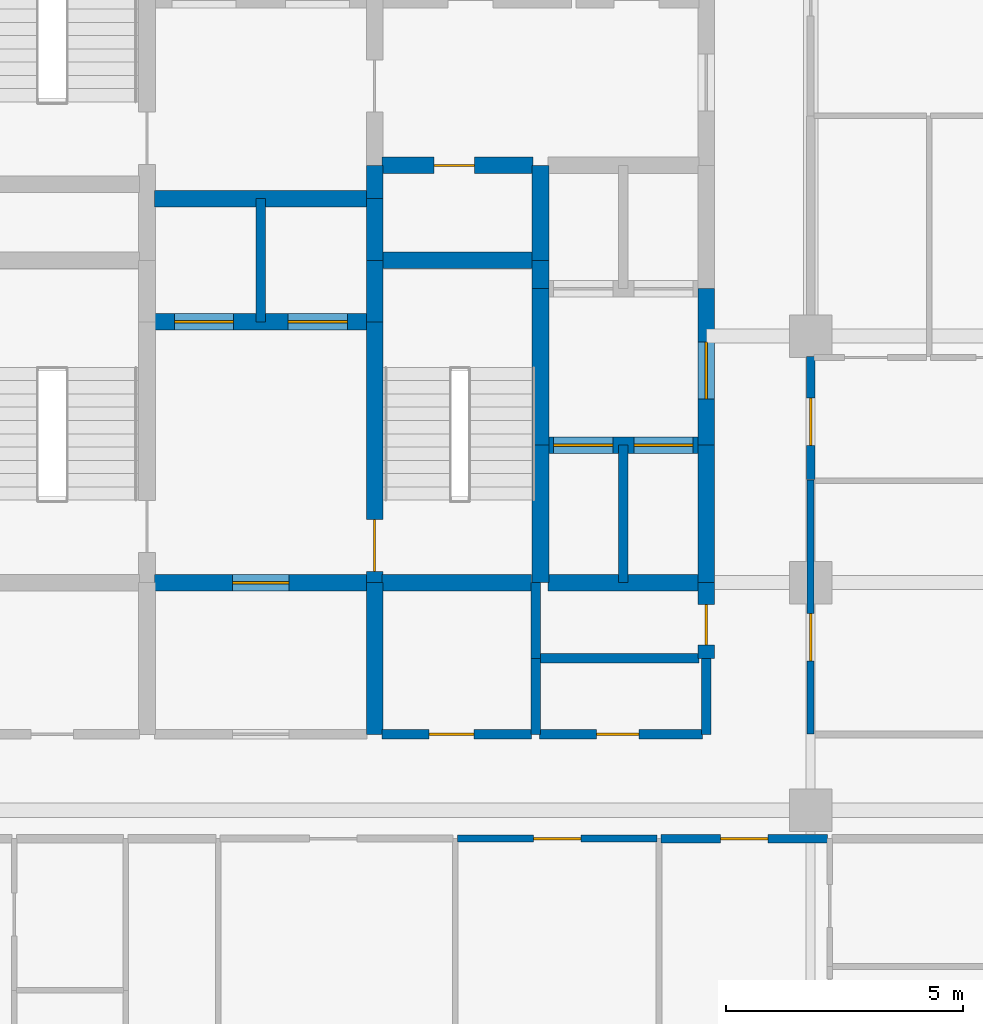
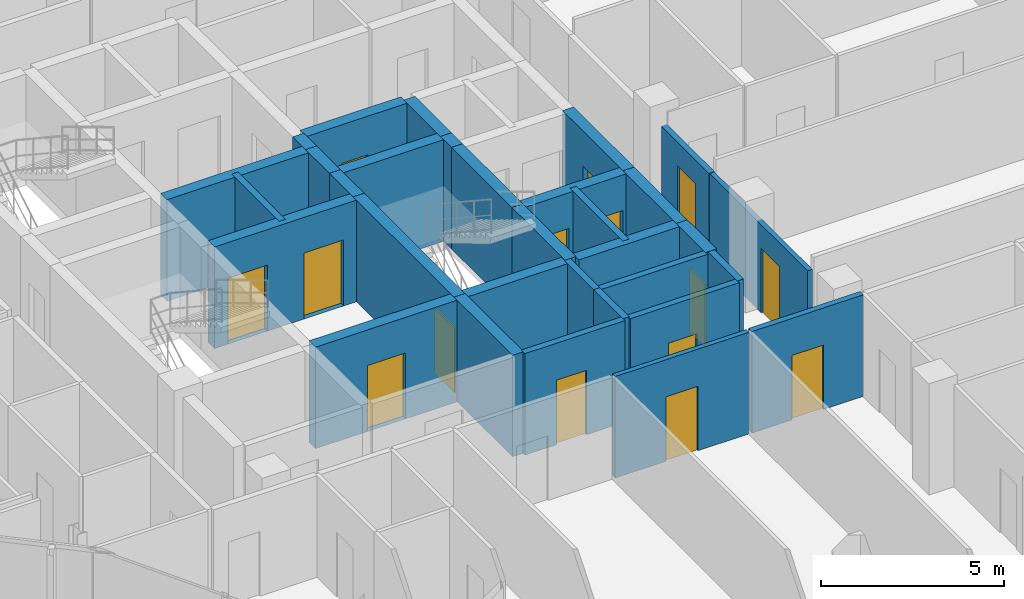
# One storey, part 26 of 31: 32 walls, 15 doors, 15 openings.
"""IFC4 building model written with IfcOpenShell, lengths in metres."""

from ifc_helpers import new_model, si_unit, direction, frame, frame_2d, origin, place, context, subcontext, project, spatial, rectangle, extrude, material, layer, layer_set, type_object, element, fill, save


model = new_model("IFC4")

# Units and contexts
model_context = context("Model", 3, precision=1e-05, world=origin(), true_north=direction((0.0, 1.0)))
body_context = subcontext(model_context, "Body", "Model", "MODEL_VIEW")
ifc_project = project(units=[si_unit("LENGTHUNIT", "METRE"), si_unit("AREAUNIT", "SQUARE_METRE"), si_unit("VOLUMEUNIT", "CUBIC_METRE"), si_unit("PLANEANGLEUNIT", "RADIAN"), si_unit("MASSUNIT", "GRAM", prefix="KILO")], contexts=[model_context])

# Site, building, storey
site_placement = place(None, origin())
site = spatial("IfcSite", under=ifc_project, at=site_placement, CompositionType="ELEMENT")
building_placement = place(site_placement, origin())
building = spatial("IfcBuilding", under=site, at=building_placement, Name="Keshet Zoharim Tower", CompositionType="ELEMENT")
storey_placement = place(building_placement, frame((0.0, 0.0, 148.300048828125)))
storey = spatial("IfcBuildingStorey", under=building, at=storey_placement, Name="L36", CompositionType="ELEMENT", Elevation=148.300048828125)

# Wall, opening, door
ifc_material_1 = material(Name="Gypsum Plasterboard", Category="gypsum")
ifc_layer_1 = layer(ifc_material_1, 0.14990234375)
ifc_layer_set_1 = layer_set([ifc_layer_1], Name="Gypsum Plasterboard")
wall_type_1 = type_object("IfcWallType", Name="WL-CLIN-150", PredefinedType="STANDARD", material=ifc_layer_set_1)
wall_1_placement = place(storey_placement, frame((33.0, 19.510009765625, 0.0), z_axis=(0.0, 0.0, 1.0), x_axis=(0.0, 1.0, 0.0)))
wall_1 = element("IfcWall", 1, at=wall_1_placement, inside=storey, type_object=wall_type_1, Name="L36 Interior Wall 070", PredefinedType="STANDARD", context=body_context, shape_type="SweptSolid", body=[
    extrude(rectangle(XDim=5.35009765625, YDim=0.14990234375, at=frame_2d((2.675048828125, 0.0))), origin(), (0.0, 0.0, 1.0), 2.93505859375),
])
opening_1_placement = place(wall_1_placement, frame((1.533935546875, 0.0, 0.0)))
opening_1 = element("IfcOpeningElement", 2, at=opening_1_placement, cuts=wall_1, Name="Opening D-F310", PredefinedType="OPENING", context=body_context, shape_type="SweptSolid", body=[
    extrude(rectangle(XDim=1.0, YDim=2.14990234375, at=frame_2d((0.5, 1.074951171875))), frame((0.0, 0.0849609375, 0.0), z_axis=(0.0, -1.0, 0.0), x_axis=(1.0, 0.0, 0.0)), (0.0, 0.0, 1.0), 0.169921875),
])
ifc_material_2 = material(Name="Hardwood Timber", Category="wood")
door_type_1 = type_object("IfcDoorType", Name="DR-FD30-100", OperationType="NOTDEFINED", PredefinedType="DOOR", material=ifc_material_2)
door_1_placement = place(opening_1_placement, origin())
door_1 = element("IfcDoor", 3, at=door_1_placement, inside=storey, type_object=door_type_1, Name="L36 South East Residents Services Suite Door 2", OperationType="SINGLE_SWING_RIGHT", OverallHeight=2.14990234375, OverallWidth=1.0, PredefinedType="DOOR", context=body_context, shape_type="SweptSolid", body=[
    extrude(rectangle(XDim=1.0, YDim=2.14990234375, at=frame_2d((0.5, 1.074951171875))), frame((0.0, 0.02490234375, 0.0), z_axis=(0.0, -1.0, 0.0), x_axis=(1.0, 0.0, 0.0)), (0.0, 0.0, 1.0), 0.050048828125),
])
fill(opening_1, door_1)

wall_2_placement = place(storey_placement, frame((25.544921875, 17.300048828125, 0.0), z_axis=(0.0, 0.0, 1.0), x_axis=(1.0, 0.0, 0.0)))
wall_2 = element("IfcWall", 4, at=wall_2_placement, inside=storey, type_object=wall_type_1, Name="L36 Interior Wall 124", PredefinedType="STANDARD", context=body_context, shape_type="SweptSolid", body=[
    extrude(rectangle(XDim=4.2099609375, YDim=0.14990234375, at=frame_2d((2.10498046875, 0.0))), origin(), (0.0, 0.0, 1.0), 3.385009765625),
])
opening_2_placement = place(wall_2_placement, frame((1.60498046875, 0.0, 0.0)))
opening_2 = element("IfcOpeningElement", 5, at=opening_2_placement, cuts=wall_2, Name="Opening D-F310", PredefinedType="OPENING", context=body_context, shape_type="SweptSolid", body=[
    extrude(rectangle(XDim=1.0, YDim=2.14990234375, at=frame_2d((0.5, 1.074951171875))), frame((0.0, 0.0849609375, 0.0), z_axis=(0.0, -1.0, 0.0), x_axis=(1.0, 0.0, 0.0)), (0.0, 0.0, 1.0), 0.169921875),
])
door_2_placement = place(opening_2_placement, origin())
door_2 = element("IfcDoor", 6, at=door_2_placement, inside=storey, type_object=door_type_1, Name="L36 Residents Reading Office Door", OperationType="SINGLE_SWING_LEFT", OverallHeight=2.14990234375, OverallWidth=1.0, PredefinedType="DOOR", context=body_context, shape_type="SweptSolid", body=[
    extrude(rectangle(XDim=1.0, YDim=2.14990234375, at=frame_2d((0.5, 1.074951171875))), frame((0.0, 0.02490234375, 0.0), z_axis=(0.0, -1.0, 0.0), x_axis=(1.0, 0.0, 0.0)), (0.0, 0.0, 1.0), 0.050048828125),
])
fill(opening_2, door_2)

# Wall
ifc_material_3 = material(Name="Concrete C60/75", Category="concrete")
ifc_layer_2 = layer(ifc_material_3, 0.35009765625)
ifc_layer_set_2 = layer_set([ifc_layer_2], Name="Concrete C60/75")
wall_type_2 = type_object("IfcWallType", Name="WL-CORE-350", PredefinedType="SHEAR", material=ifc_layer_set_2)
wall_3_placement = place(storey_placement, frame((23.800048828125, 19.5, 0.0), z_axis=(0.0, 0.0, 1.0), x_axis=(0.0, 1.0, 0.0)))
element("IfcWall", 7, at=wall_3_placement, inside=storey, type_object=wall_type_2, Name="L36 Core Shear Wall 036", PredefinedType="SHEAR", context=body_context, shape_type="SweptSolid", body=[
    extrude(rectangle(XDim=3.199951171875, YDim=0.35009765625, at=frame_2d((1.60009765625, 0.0))), origin(), (0.0, 0.0, 1.0), 3.385009765625),
])

# Wall, opening, door
wall_4_placement = place(storey_placement, frame((23.800048828125, 22.699951171875, 0.0), z_axis=(0.0, 0.0, 1.0), x_axis=(0.0, 1.0, 0.0)))
wall_4 = element("IfcWall", 8, at=wall_4_placement, inside=storey, type_object=wall_type_2, Name="L36 Core Shear Wall 037", PredefinedType="SHEAR", context=body_context, shape_type="SweptSolid", body=[
    extrude(rectangle(XDim=5.5, YDim=0.35009765625, at=frame_2d((2.75, 0.0))), origin(), (0.0, 0.0, 1.0), 3.385009765625),
])
opening_3_placement = place(wall_4_placement, frame((0.235107421875, 0.0, 0.0)))
opening_3 = element("IfcOpeningElement", 9, at=opening_3_placement, cuts=wall_4, Name="Opening D-F611", PredefinedType="OPENING", context=body_context, shape_type="SweptSolid", body=[
    extrude(rectangle(XDim=1.10009765625, YDim=2.14990234375, at=frame_2d((0.550048828125, 1.074951171875))), frame((0.0, 0.18505859375, 0.0), z_axis=(0.0, -1.0, 0.0), x_axis=(1.0, 0.0, 0.0)), (0.0, 0.0, 1.0), 0.3701171875),
])
door_type_2 = type_object("IfcDoorType", Name="DR-FD60-110", OperationType="NOTDEFINED", PredefinedType="DOOR", material=ifc_material_2)
door_3_placement = place(opening_3_placement, frame((1.10009765625, 0.0, 0.0), z_axis=(0.0, 0.0, 1.0), x_axis=(-1.0, 0.0, 0.0)))
door_3 = element("IfcDoor", 10, at=door_3_placement, inside=storey, type_object=door_type_2, Name="L36 Exit Stair ST-03 Fire Door", OperationType="SINGLE_SWING_LEFT", OverallHeight=2.14990234375, OverallWidth=1.10009765625, PredefinedType="DOOR", context=body_context, shape_type="SweptSolid", body=[
    extrude(rectangle(XDim=1.10009765625, YDim=2.14990234375, at=frame_2d((0.550048828125, 1.074951171875))), frame((0.0, 0.02490234375, 0.0), z_axis=(0.0, -1.0, 0.0), x_axis=(1.0, 0.0, 0.0)), (0.0, 0.0, 1.0), 0.050048828125),
])
fill(opening_3, door_3)

# Walls
for number, where, z_axis, x_axis, name in (
    (11, (23.800048828125, 28.199951171875, 0.0), (0.0, 0.0, 1.0), (0.0, 1.0, 0.0), "L36 Core Shear Wall 038"),
    (12, (23.800048828125, 29.5, 0.0), (0.0, 0.0, 1.0), (0.0, 1.0, 0.0), "L36 Core Shear Wall 039"),
):
    element("IfcWall", number, at=place(storey_placement, frame(where, z_axis=z_axis, x_axis=x_axis)), inside=storey, type_object=wall_type_2, Name=name, PredefinedType="SHEAR", context=body_context, shape_type="SweptSolid", body=[
        extrude(rectangle(XDim=1.300048828125, YDim=0.35009765625, at=frame_2d((0.64990234375, 0.0))), origin(), (0.0, 0.0, 1.0), 3.385009765625),
    ])
wall_5_placement = place(storey_placement, frame((23.800048828125, 30.800048828125, 0.0), z_axis=(0.0, 0.0, 1.0), x_axis=(0.0, 1.0, 0.0)))
element("IfcWall", 13, at=wall_5_placement, inside=storey, type_object=wall_type_2, Name="L36 Core Shear Wall 040", PredefinedType="SHEAR", context=body_context, shape_type="SweptSolid", body=[
    extrude(rectangle(XDim=0.699951171875, YDim=0.35009765625, at=frame_2d((0.35009765625, 0.0))), origin(), (0.0, 0.0, 1.0), 3.385009765625),
])
wall_6_placement = place(storey_placement, frame((27.300048828125, 22.699951171875, 0.0), z_axis=(0.0, 0.0, 1.0), x_axis=(0.0, 1.0, 0.0)))
element("IfcWall", 14, at=wall_6_placement, inside=storey, type_object=wall_type_2, Name="L36 Core Shear Wall 047", PredefinedType="SHEAR", context=body_context, shape_type="SweptSolid", body=[
    extrude(rectangle(XDim=2.900146484375, YDim=0.35009765625, at=frame_2d((1.4501953125, 0.0))), origin(), (0.0, 0.0, 1.0), 3.385009765625),
])
wall_7_placement = place(storey_placement, frame((27.300048828125, 25.60009765625, 0.0), z_axis=(0.0, 0.0, 1.0), x_axis=(0.0, 1.0, 0.0)))
element("IfcWall", 15, at=wall_7_placement, inside=storey, type_object=wall_type_2, Name="L36 Core Shear Wall 048", PredefinedType="SHEAR", context=body_context, shape_type="SweptSolid", body=[
    extrude(rectangle(XDim=3.2998046875, YDim=0.35009765625, at=frame_2d((1.64990234375, 0.0))), origin(), (0.0, 0.0, 1.0), 3.385009765625),
])
wall_8_placement = place(storey_placement, frame((27.300048828125, 28.89990234375, 0.0), z_axis=(0.0, 0.0, 1.0), x_axis=(0.0, 1.0, 0.0)))
element("IfcWall", 16, at=wall_8_placement, inside=storey, type_object=wall_type_2, Name="L36 Core Shear Wall 049", PredefinedType="SHEAR", context=body_context, shape_type="SweptSolid", body=[
    extrude(rectangle(XDim=0.60009765625, YDim=0.35009765625, at=frame_2d((0.300048828125, 0.0))), origin(), (0.0, 0.0, 1.0), 3.385009765625),
])
wall_9_placement = place(storey_placement, frame((27.300048828125, 29.5, 0.0), z_axis=(0.0, 0.0, 1.0), x_axis=(0.0, 1.0, 0.0)))
element("IfcWall", 17, at=wall_9_placement, inside=storey, type_object=wall_type_2, Name="L36 Core Shear Wall 050", PredefinedType="SHEAR", context=body_context, shape_type="SweptSolid", body=[
    extrude(rectangle(XDim=2.0, YDim=0.35009765625, at=frame_2d((1.0, 0.0))), origin(), (0.0, 0.0, 1.0), 3.385009765625),
])

# Wall, opening, door
wall_10_placement = place(storey_placement, frame((30.800048828125, 21.10009765625, 0.0), z_axis=(0.0, 0.0, 1.0), x_axis=(0.0, 1.0, 0.0)))
wall_10 = element("IfcWall", 18, at=wall_10_placement, inside=storey, type_object=wall_type_2, Name="L36 Core Shear Wall 060", PredefinedType="SHEAR", context=body_context, shape_type="SweptSolid", body=[
    extrude(rectangle(XDim=1.599853515625, YDim=0.35009765625, at=frame_2d((0.7998046875, 0.0))), origin(), (0.0, 0.0, 1.0), 3.385009765625),
])
opening_4_placement = place(wall_10_placement, frame((0.287109375, 0.0, 0.0)))
opening_4 = element("IfcOpeningElement", 19, at=opening_4_placement, cuts=wall_10, Name="Opening D-RS85", PredefinedType="OPENING", context=body_context, shape_type="SweptSolid", body=[
    extrude(rectangle(XDim=0.85009765625, YDim=2.10009765625, at=frame_2d((0.425048828125, 1.050048828125))), frame((0.0, 0.18505859375, 0.0), z_axis=(0.0, -1.0, 0.0), x_axis=(1.0, 0.0, 0.0)), (0.0, 0.0, 1.0), 0.3701171875),
])
door_type_3 = type_object("IfcDoorType", Name="DR-RIS-085", OperationType="NOTDEFINED", PredefinedType="DOOR", material=ifc_material_2)
door_4_placement = place(opening_4_placement, origin())
door_4 = element("IfcDoor", 20, at=door_4_placement, inside=storey, type_object=door_type_3, Name="L36 Linen Store Door", OperationType="SINGLE_SWING_LEFT", OverallHeight=2.10009765625, OverallWidth=0.85009765625, PredefinedType="DOOR", context=body_context, shape_type="SweptSolid", body=[
    extrude(rectangle(XDim=0.85009765625, YDim=2.10009765625, at=frame_2d((0.425048828125, 1.050048828125))), frame((0.0, 0.02490234375, 0.0), z_axis=(0.0, -1.0, 0.0), x_axis=(1.0, 0.0, 0.0)), (0.0, 0.0, 1.0), 0.050048828125),
])
fill(opening_4, door_4)

# Wall
wall_11_placement = place(storey_placement, frame((30.800048828125, 22.699951171875, 0.0), z_axis=(0.0, 0.0, 1.0), x_axis=(0.0, 1.0, 0.0)))
element("IfcWall", 21, at=wall_11_placement, inside=storey, type_object=wall_type_2, Name="L36 Core Shear Wall 061", PredefinedType="SHEAR", context=body_context, shape_type="SweptSolid", body=[
    extrude(rectangle(XDim=2.900146484375, YDim=0.35009765625, at=frame_2d((1.4501953125, 0.0))), origin(), (0.0, 0.0, 1.0), 3.385009765625),
])

# Wall, opening, door
wall_12_placement = place(storey_placement, frame((30.800048828125, 25.60009765625, 0.0), z_axis=(0.0, 0.0, 1.0), x_axis=(0.0, 1.0, 0.0)))
wall_12 = element("IfcWall", 22, at=wall_12_placement, inside=storey, type_object=wall_type_2, Name="L36 Core Shear Wall 062", PredefinedType="SHEAR", context=body_context, shape_type="SweptSolid", body=[
    extrude(rectangle(XDim=3.2998046875, YDim=0.35009765625, at=frame_2d((1.64990234375, 0.0))), origin(), (0.0, 0.0, 1.0), 3.385009765625),
])
opening_5_placement = place(wall_12_placement, frame((0.97802734375, 0.0, 0.0)))
opening_5 = element("IfcOpeningElement", 23, at=opening_5_placement, cuts=wall_12, Name="Opening D-F612", PredefinedType="OPENING", context=body_context, shape_type="SweptSolid", body=[
    extrude(rectangle(XDim=1.199951171875, YDim=2.199951171875, at=frame_2d((0.60009765625, 1.10009765625))), frame((0.0, 0.18505859375, 0.0), z_axis=(0.0, -1.0, 0.0), x_axis=(1.0, 0.0, 0.0)), (0.0, 0.0, 1.0), 0.3701171875),
])
door_type_4 = type_object("IfcDoorType", Name="DR-FD60-120", OperationType="NOTDEFINED", PredefinedType="DOOR", material=ifc_material_2)
door_5_placement = place(opening_5_placement, origin())
door_5 = element("IfcDoor", 24, at=door_5_placement, inside=storey, type_object=door_type_4, Name="L36 East Lift Lobby Fire Door", OperationType="SINGLE_SWING_RIGHT", OverallHeight=2.199951171875, OverallWidth=1.199951171875, PredefinedType="DOOR", context=body_context, shape_type="SweptSolid", body=[
    extrude(rectangle(XDim=1.199951171875, YDim=2.199951171875, at=frame_2d((0.60009765625, 1.10009765625))), frame((0.0, 0.02490234375, 0.0), z_axis=(0.0, -1.0, 0.0), x_axis=(1.0, 0.0, 0.0)), (0.0, 0.0, 1.0), 0.050048828125),
])
fill(opening_5, door_5)

wall_13_placement = place(storey_placement, frame((19.159912109375, 22.699951171875, 0.0), z_axis=(0.0, 0.0, 1.0), x_axis=(1.0, 0.0, 0.0)))
wall_13 = element("IfcWall", 25, at=wall_13_placement, inside=storey, type_object=wall_type_2, Name="L36 Core Shear Wall 142", PredefinedType="SHEAR", context=body_context, shape_type="SweptSolid", body=[
    extrude(rectangle(XDim=4.47998046875, YDim=0.35009765625, at=frame_2d((2.239990234375, 0.0))), origin(), (0.0, 0.0, 1.0), 3.385009765625),
])
opening_6_placement = place(wall_13_placement, frame((1.639892578125, 0.0, 0.0)))
opening_6 = element("IfcOpeningElement", 26, at=opening_6_placement, cuts=wall_13, Name="Opening D-F612", PredefinedType="OPENING", context=body_context, shape_type="SweptSolid", body=[
    extrude(rectangle(XDim=1.199951171875, YDim=2.199951171875, at=frame_2d((0.60009765625, 1.10009765625))), frame((0.0, 0.18505859375, 0.0), z_axis=(0.0, -1.0, 0.0), x_axis=(1.0, 0.0, 0.0)), (0.0, 0.0, 1.0), 0.3701171875),
])
door_6_placement = place(opening_6_placement, origin())
door_6 = element("IfcDoor", 27, at=door_6_placement, inside=storey, type_object=door_type_4, Name="L36 South Core Lobby Fire Door", OperationType="SINGLE_SWING_RIGHT", OverallHeight=2.199951171875, OverallWidth=1.199951171875, PredefinedType="DOOR", context=body_context, shape_type="SweptSolid", body=[
    extrude(rectangle(XDim=1.199951171875, YDim=2.199951171875, at=frame_2d((0.60009765625, 1.10009765625))), frame((0.0, 0.02490234375, 0.0), z_axis=(0.0, -1.0, 0.0), x_axis=(1.0, 0.0, 0.0)), (0.0, 0.0, 1.0), 0.050048828125),
])
fill(opening_6, door_6)

# Walls
wall_14_placement = place(storey_placement, frame((23.9599609375, 22.699951171875, 0.0), z_axis=(0.0, 0.0, 1.0), x_axis=(1.0, 0.0, 0.0)))
element("IfcWall", 28, at=wall_14_placement, inside=storey, type_object=wall_type_2, Name="L36 Core Shear Wall 143", PredefinedType="SHEAR", context=body_context, shape_type="SweptSolid", body=[
    extrude(rectangle(XDim=3.155029296875, YDim=0.35009765625, at=frame_2d((1.57763671875, 0.0))), origin(), (0.0, 0.0, 1.0), 3.385009765625),
])
wall_15_placement = place(storey_placement, frame((27.4599609375, 22.699951171875, 0.0), z_axis=(0.0, 0.0, 1.0), x_axis=(1.0, 0.0, 0.0)))
element("IfcWall", 29, at=wall_15_placement, inside=storey, type_object=wall_type_2, Name="L36 Core Shear Wall 144", PredefinedType="SHEAR", context=body_context, shape_type="SweptSolid", body=[
    extrude(rectangle(XDim=3.179931640625, YDim=0.35009765625, at=frame_2d((1.58984375, 0.0))), origin(), (0.0, 0.0, 1.0), 3.385009765625),
])

# Wall, openings, doors
wall_16_placement = place(storey_placement, frame((27.4599609375, 25.60009765625, 0.0), z_axis=(0.0, 0.0, 1.0), x_axis=(1.0, 0.0, 0.0)))
wall_16 = element("IfcWall", 30, at=wall_16_placement, inside=storey, type_object=wall_type_2, Name="L36 Core Shear Wall 148", PredefinedType="SHEAR", context=body_context, shape_type="SweptSolid", body=[
    extrude(rectangle(XDim=3.179931640625, YDim=0.35009765625, at=frame_2d((1.58984375, 0.0))), origin(), (0.0, 0.0, 1.0), 3.385009765625),
])
opening_7_placement = place(wall_16_placement, frame((0.1201171875, 0.0, 0.0)))
opening_7 = element("IfcOpeningElement", 31, at=opening_7_placement, cuts=wall_16, Name="Opening LD-01", PredefinedType="OPENING", context=body_context, shape_type="SweptSolid", body=[
    extrude(rectangle(XDim=1.25, YDim=2.199951171875, at=frame_2d((0.625, 1.10009765625))), frame((0.0, 0.18505859375, 0.0), z_axis=(0.0, -1.0, 0.0), x_axis=(1.0, 0.0, 0.0)), (0.0, 0.0, 1.0), 0.3701171875),
])
opening_8_placement = place(wall_16_placement, frame((1.81005859375, 0.0, 0.0)))
opening_8 = element("IfcOpeningElement", 32, at=opening_8_placement, cuts=wall_16, Name="Opening LD-01", PredefinedType="OPENING", context=body_context, shape_type="SweptSolid", body=[
    extrude(rectangle(XDim=1.25, YDim=2.199951171875, at=frame_2d((0.625, 1.10009765625))), frame((0.0, 0.18505859375, 0.0), z_axis=(0.0, -1.0, 0.0), x_axis=(1.0, 0.0, 0.0)), (0.0, 0.0, 1.0), 0.3701171875),
])
ifc_material_4 = material(Name="Steel S355", Category="steel")
door_type_5 = type_object("IfcDoorType", Name="DR-LD01-125", OperationType="DOUBLE_DOOR_SLIDING", PredefinedType="DOOR", material=ifc_material_4)
door_7_placement = place(opening_7_placement, origin())
door_7 = element("IfcDoor", 33, at=door_7_placement, inside=storey, type_object=door_type_5, Name="L36 Passenger Lift Landing Door LF-07", OperationType="DOUBLE_DOOR_SLIDING", OverallHeight=2.199951171875, OverallWidth=1.25, PredefinedType="DOOR", context=body_context, shape_type="SweptSolid", body=[
    extrude(rectangle(XDim=1.25, YDim=2.199951171875, at=frame_2d((0.625, 1.10009765625))), frame((0.0, 0.02490234375, 0.0), z_axis=(0.0, -1.0, 0.0), x_axis=(1.0, 0.0, 0.0)), (0.0, 0.0, 1.0), 0.050048828125),
])
fill(opening_7, door_7)
door_8_placement = place(opening_8_placement, origin())
door_8 = element("IfcDoor", 34, at=door_8_placement, inside=storey, type_object=door_type_5, Name="L36 Passenger Lift Landing Door LF-08", OperationType="DOUBLE_DOOR_SLIDING", OverallHeight=2.199951171875, OverallWidth=1.25, PredefinedType="DOOR", context=body_context, shape_type="SweptSolid", body=[
    extrude(rectangle(XDim=1.25, YDim=2.199951171875, at=frame_2d((0.625, 1.10009765625))), frame((0.0, 0.02490234375, 0.0), z_axis=(0.0, -1.0, 0.0), x_axis=(1.0, 0.0, 0.0)), (0.0, 0.0, 1.0), 0.050048828125),
])
fill(opening_8, door_8)

wall_17_placement = place(storey_placement, frame((19.159912109375, 28.199951171875, 0.0), z_axis=(0.0, 0.0, 1.0), x_axis=(1.0, 0.0, 0.0)))
wall_17 = element("IfcWall", 35, at=wall_17_placement, inside=storey, type_object=wall_type_2, Name="L36 Core Shear Wall 154", PredefinedType="SHEAR", context=body_context, shape_type="SweptSolid", body=[
    extrude(rectangle(XDim=4.47998046875, YDim=0.35009765625, at=frame_2d((2.239990234375, 0.0))), origin(), (0.0, 0.0, 1.0), 3.385009765625),
])
opening_9_placement = place(wall_17_placement, frame((0.4150390625, 0.0, 0.0)))
opening_9 = element("IfcOpeningElement", 36, at=opening_9_placement, cuts=wall_17, Name="Opening LD-01", PredefinedType="OPENING", context=body_context, shape_type="SweptSolid", body=[
    extrude(rectangle(XDim=1.25, YDim=2.199951171875, at=frame_2d((0.625, 1.10009765625))), frame((0.0, 0.18505859375, 0.0), z_axis=(0.0, -1.0, 0.0), x_axis=(1.0, 0.0, 0.0)), (0.0, 0.0, 1.0), 0.3701171875),
])
opening_10_placement = place(wall_17_placement, frame((2.81494140625, 0.0, 0.0)))
opening_10 = element("IfcOpeningElement", 37, at=opening_10_placement, cuts=wall_17, Name="Opening LD-01", PredefinedType="OPENING", context=body_context, shape_type="SweptSolid", body=[
    extrude(rectangle(XDim=1.25, YDim=2.199951171875, at=frame_2d((0.625, 1.10009765625))), frame((0.0, 0.18505859375, 0.0), z_axis=(0.0, -1.0, 0.0), x_axis=(1.0, 0.0, 0.0)), (0.0, 0.0, 1.0), 0.3701171875),
])
door_9_placement = place(opening_9_placement, origin())
door_9 = element("IfcDoor", 38, at=door_9_placement, inside=storey, type_object=door_type_5, Name="L36 Passenger Lift Landing Door LF-09", OperationType="DOUBLE_DOOR_SLIDING", OverallHeight=2.199951171875, OverallWidth=1.25, PredefinedType="DOOR", context=body_context, shape_type="SweptSolid", body=[
    extrude(rectangle(XDim=1.25, YDim=2.199951171875, at=frame_2d((0.625, 1.10009765625))), frame((0.0, 0.02490234375, 0.0), z_axis=(0.0, -1.0, 0.0), x_axis=(1.0, 0.0, 0.0)), (0.0, 0.0, 1.0), 0.050048828125),
])
fill(opening_9, door_9)
door_10_placement = place(opening_10_placement, origin())
door_10 = element("IfcDoor", 39, at=door_10_placement, inside=storey, type_object=door_type_5, Name="L36 Passenger Lift Landing Door LF-10", OperationType="DOUBLE_DOOR_SLIDING", OverallHeight=2.199951171875, OverallWidth=1.25, PredefinedType="DOOR", context=body_context, shape_type="SweptSolid", body=[
    extrude(rectangle(XDim=1.25, YDim=2.199951171875, at=frame_2d((0.625, 1.10009765625))), frame((0.0, 0.02490234375, 0.0), z_axis=(0.0, -1.0, 0.0), x_axis=(1.0, 0.0, 0.0)), (0.0, 0.0, 1.0), 0.050048828125),
])
fill(opening_10, door_10)

# Walls
wall_18_placement = place(storey_placement, frame((23.9599609375, 29.5, 0.0), z_axis=(0.0, 0.0, 1.0), x_axis=(1.0, 0.0, 0.0)))
element("IfcWall", 40, at=wall_18_placement, inside=storey, type_object=wall_type_2, Name="L36 Core Shear Wall 159", PredefinedType="SHEAR", context=body_context, shape_type="SweptSolid", body=[
    extrude(rectangle(XDim=3.179931640625, YDim=0.35009765625, at=frame_2d((1.58984375, 0.0))), origin(), (0.0, 0.0, 1.0), 3.385009765625),
])
wall_19_placement = place(storey_placement, frame((19.159912109375, 30.800048828125, 0.0), z_axis=(0.0, 0.0, 1.0), x_axis=(1.0, 0.0, 0.0)))
element("IfcWall", 41, at=wall_19_placement, inside=storey, type_object=wall_type_2, Name="L36 Core Shear Wall 160", PredefinedType="SHEAR", context=body_context, shape_type="SweptSolid", body=[
    extrude(rectangle(XDim=4.47998046875, YDim=0.35009765625, at=frame_2d((2.239990234375, 0.0))), origin(), (0.0, 0.0, 1.0), 3.385009765625),
])

# Wall, opening, door
wall_20_placement = place(storey_placement, frame((23.9599609375, 31.5, 0.0), z_axis=(0.0, 0.0, 1.0), x_axis=(1.0, 0.0, 0.0)))
wall_20 = element("IfcWall", 42, at=wall_20_placement, inside=storey, type_object=wall_type_2, Name="L36 Core Shear Wall 164", PredefinedType="SHEAR", context=body_context, shape_type="SweptSolid", body=[
    extrude(rectangle(XDim=3.179931640625, YDim=0.35009765625, at=frame_2d((1.58984375, 0.0))), origin(), (0.0, 0.0, 1.0), 3.385009765625),
])
opening_11_placement = place(wall_20_placement, frame((1.093994140625, 0.0, 0.0)))
opening_11 = element("IfcOpeningElement", 43, at=opening_11_placement, cuts=wall_20, Name="Opening D-RS85", PredefinedType="OPENING", context=body_context, shape_type="SweptSolid", body=[
    extrude(rectangle(XDim=0.85009765625, YDim=2.10009765625, at=frame_2d((0.425048828125, 1.050048828125))), frame((0.0, 0.18505859375, 0.0), z_axis=(0.0, -1.0, 0.0), x_axis=(1.0, 0.0, 0.0)), (0.0, 0.0, 1.0), 0.3701171875),
])
door_11_placement = place(opening_11_placement, origin())
door_11 = element("IfcDoor", 44, at=door_11_placement, inside=storey, type_object=door_type_3, Name="L36 Telecom Riser Access Cupboard Door", OperationType="SINGLE_SWING_RIGHT", OverallHeight=2.10009765625, OverallWidth=0.85009765625, PredefinedType="DOOR", context=body_context, shape_type="SweptSolid", body=[
    extrude(rectangle(XDim=0.85009765625, YDim=2.10009765625, at=frame_2d((0.425048828125, 1.050048828125))), frame((0.0, 0.02490234375, 0.0), z_axis=(0.0, -1.0, 0.0), x_axis=(1.0, 0.0, 0.0)), (0.0, 0.0, 1.0), 0.050048828125),
])
fill(opening_11, door_11)

ifc_layer_3 = layer(ifc_material_1, 0.179931640625)
ifc_layer_set_3 = layer_set([ifc_layer_3], Name="Gypsum Plasterboard")
wall_type_3 = type_object("IfcWallType", Name="WL-CORR-180", PredefinedType="STANDARD", material=ifc_layer_set_3)
wall_21_placement = place(storey_placement, frame((33.0, 24.8701171875, 0.0), z_axis=(0.0, 0.0, 1.0), x_axis=(0.0, 1.0, 0.0)))
wall_21 = element("IfcWall", 45, at=wall_21_placement, inside=storey, type_object=wall_type_3, Name="L36 Interior Wall 071", PredefinedType="STANDARD", context=body_context, shape_type="SweptSolid", body=[
    extrude(rectangle(XDim=2.599853515625, YDim=0.179931640625, at=frame_2d((1.2998046875, 0.0))), origin(), (0.0, 0.0, 1.0), 2.93505859375),
])
opening_12_placement = place(wall_21_placement, frame((0.722900390625, 0.0, 0.0)))
opening_12 = element("IfcOpeningElement", 46, at=opening_12_placement, cuts=wall_21, Name="Opening D-F310", PredefinedType="OPENING", context=body_context, shape_type="SweptSolid", body=[
    extrude(rectangle(XDim=1.0, YDim=2.14990234375, at=frame_2d((0.5, 1.074951171875))), frame((0.0, 0.10009765625, 0.0), z_axis=(0.0, -1.0, 0.0), x_axis=(1.0, 0.0, 0.0)), (0.0, 0.0, 1.0), 0.199951171875),
])
door_12_placement = place(opening_12_placement, origin())
door_12 = element("IfcDoor", 47, at=door_12_placement, inside=storey, type_object=door_type_1, Name="Apartment 3609 Entrance Door", OperationType="SINGLE_SWING_LEFT", OverallHeight=2.14990234375, OverallWidth=1.0, PredefinedType="DOOR", context=body_context, shape_type="SweptSolid", body=[
    extrude(rectangle(XDim=1.0, YDim=2.14990234375, at=frame_2d((0.5, 1.074951171875))), frame((0.0, 0.02490234375, 0.0), z_axis=(0.0, -1.0, 0.0), x_axis=(1.0, 0.0, 0.0)), (0.0, 0.0, 1.0), 0.050048828125),
])
fill(opening_12, door_12)

wall_22_placement = place(storey_placement, frame((29.844970703125, 17.300048828125, 0.0), z_axis=(0.0, 0.0, 1.0), x_axis=(1.0, 0.0, 0.0)))
wall_22 = element("IfcWall", 48, at=wall_22_placement, inside=storey, type_object=wall_type_3, Name="L36 Interior Wall 125", PredefinedType="STANDARD", context=body_context, shape_type="SweptSolid", body=[
    extrude(rectangle(XDim=3.510009765625, YDim=0.179931640625, at=frame_2d((1.7548828125, 0.0))), origin(), (0.0, 0.0, 1.0), 3.385009765625),
])
opening_13_placement = place(wall_22_placement, frame((1.2548828125, 0.0, 0.0)))
opening_13 = element("IfcOpeningElement", 49, at=opening_13_placement, cuts=wall_22, Name="Opening D-F310", PredefinedType="OPENING", context=body_context, shape_type="SweptSolid", body=[
    extrude(rectangle(XDim=1.0, YDim=2.14990234375, at=frame_2d((0.5, 1.074951171875))), frame((0.0, 0.10009765625, 0.0), z_axis=(0.0, -1.0, 0.0), x_axis=(1.0, 0.0, 0.0)), (0.0, 0.0, 1.0), 0.199951171875),
])
door_13_placement = place(opening_13_placement, origin())
door_13 = element("IfcDoor", 50, at=door_13_placement, inside=storey, type_object=door_type_1, Name="Apartment 3602 Entrance Door", OperationType="SINGLE_SWING_RIGHT", OverallHeight=2.14990234375, OverallWidth=1.0, PredefinedType="DOOR", context=body_context, shape_type="SweptSolid", body=[
    extrude(rectangle(XDim=1.0, YDim=2.14990234375, at=frame_2d((0.5, 1.074951171875))), frame((0.0, 0.02490234375, 0.0), z_axis=(0.0, -1.0, 0.0), x_axis=(1.0, 0.0, 0.0)), (0.0, 0.0, 1.0), 0.050048828125),
])
fill(opening_13, door_13)

# Walls
ifc_material_5 = material(Name="Concrete C50/60", Category="concrete")
ifc_layer_4 = layer(ifc_material_5, 0.199951171875)
ifc_layer_set_4 = layer_set([ifc_layer_4], Name="Concrete C50/60")
wall_type_4 = type_object("IfcWallType", Name="WL-FIRE-200", PredefinedType="STANDARD", material=ifc_layer_set_4)
wall_23_placement = place(storey_placement, frame((21.39990234375, 28.199951171875, 0.0), z_axis=(0.0, 0.0, 1.0), x_axis=(0.0, 1.0, 0.0)))
element("IfcWall", 51, at=wall_23_placement, inside=storey, type_object=wall_type_4, Name="L36 Interior Wall 031", PredefinedType="STANDARD", context=body_context, shape_type="SweptSolid", body=[
    extrude(rectangle(XDim=2.60009765625, YDim=0.199951171875, at=frame_2d((1.300048828125, 0.0))), origin(), (0.0, 0.0, 1.0), 3.385009765625),
])
wall_24_placement = place(storey_placement, frame((27.199951171875, 19.5, 0.0), z_axis=(0.0, 0.0, 1.0), x_axis=(0.0, 1.0, 0.0)))
element("IfcWall", 52, at=wall_24_placement, inside=storey, type_object=wall_type_4, Name="L36 Interior Wall 045", PredefinedType="STANDARD", context=body_context, shape_type="SweptSolid", body=[
    extrude(rectangle(XDim=1.60009765625, YDim=0.199951171875, at=frame_2d((0.800048828125, 0.0))), origin(), (0.0, 0.0, 1.0), 3.385009765625),
])
wall_25_placement = place(storey_placement, frame((27.199951171875, 21.10009765625, 0.0), z_axis=(0.0, 0.0, 1.0), x_axis=(0.0, 1.0, 0.0)))
element("IfcWall", 53, at=wall_25_placement, inside=storey, type_object=wall_type_4, Name="L36 Interior Wall 046", PredefinedType="STANDARD", context=body_context, shape_type="SweptSolid", body=[
    extrude(rectangle(XDim=1.599853515625, YDim=0.199951171875, at=frame_2d((0.7998046875, 0.0))), origin(), (0.0, 0.0, 1.0), 3.385009765625),
])
wall_26_placement = place(storey_placement, frame((29.050048828125, 22.699951171875, 0.0), z_axis=(0.0, 0.0, 1.0), x_axis=(0.0, 1.0, 0.0)))
element("IfcWall", 54, at=wall_26_placement, inside=storey, type_object=wall_type_4, Name="L36 Interior Wall 054", PredefinedType="STANDARD", context=body_context, shape_type="SweptSolid", body=[
    extrude(rectangle(XDim=2.900146484375, YDim=0.199951171875, at=frame_2d((1.4501953125, 0.0))), origin(), (0.0, 0.0, 1.0), 3.385009765625),
])
wall_27_placement = place(storey_placement, frame((30.800048828125, 19.5, 0.0), z_axis=(0.0, 0.0, 1.0), x_axis=(0.0, 1.0, 0.0)))
element("IfcWall", 55, at=wall_27_placement, inside=storey, type_object=wall_type_4, Name="L36 Interior Wall 059", PredefinedType="STANDARD", context=body_context, shape_type="SweptSolid", body=[
    extrude(rectangle(XDim=1.60009765625, YDim=0.199951171875, at=frame_2d((0.800048828125, 0.0))), origin(), (0.0, 0.0, 1.0), 3.385009765625),
])

# Wall, opening, door
wall_28_placement = place(storey_placement, frame((23.9599609375, 19.5, 0.0), z_axis=(0.0, 0.0, 1.0), x_axis=(1.0, 0.0, 0.0)))
wall_28 = element("IfcWall", 56, at=wall_28_placement, inside=storey, type_object=wall_type_4, Name="L36 Interior Wall 134", PredefinedType="STANDARD", context=body_context, shape_type="SweptSolid", body=[
    extrude(rectangle(XDim=3.155029296875, YDim=0.199951171875, at=frame_2d((1.57763671875, 0.0))), origin(), (0.0, 0.0, 1.0), 3.385009765625),
])
opening_14_placement = place(wall_28_placement, frame((0.990966796875, 0.0, 0.0)))
opening_14 = element("IfcOpeningElement", 57, at=opening_14_placement, cuts=wall_28, Name="Opening D-F695", PredefinedType="OPENING", context=body_context, shape_type="SweptSolid", body=[
    extrude(rectangle(XDim=0.949951171875, YDim=2.14990234375, at=frame_2d((0.47509765625, 1.074951171875))), frame((0.0, 0.10986328125, 0.0), z_axis=(0.0, -1.0, 0.0), x_axis=(1.0, 0.0, 0.0)), (0.0, 0.0, 1.0), 0.219970703125),
])
door_type_6 = type_object("IfcDoorType", Name="DR-FD60-095", OperationType="NOTDEFINED", PredefinedType="DOOR", material=ifc_material_2)
door_14_placement = place(opening_14_placement, origin())
door_14 = element("IfcDoor", 58, at=door_14_placement, inside=storey, type_object=door_type_6, Name="L36 Utility Room Door", OperationType="SINGLE_SWING_LEFT", OverallHeight=2.14990234375, OverallWidth=0.949951171875, PredefinedType="DOOR", context=body_context, shape_type="SweptSolid", body=[
    extrude(rectangle(XDim=0.949951171875, YDim=2.14990234375, at=frame_2d((0.47509765625, 1.074951171875))), frame((0.0, 0.02490234375, 0.0), z_axis=(0.0, -1.0, 0.0), x_axis=(1.0, 0.0, 0.0)), (0.0, 0.0, 1.0), 0.050048828125),
])
fill(opening_14, door_14)

wall_29_placement = place(storey_placement, frame((27.284912109375, 19.5, 0.0), z_axis=(0.0, 0.0, 1.0), x_axis=(1.0, 0.0, 0.0)))
wall_29 = element("IfcWall", 59, at=wall_29_placement, inside=storey, type_object=wall_type_4, Name="L36 Interior Wall 135", PredefinedType="STANDARD", context=body_context, shape_type="SweptSolid", body=[
    extrude(rectangle(XDim=3.43017578125, YDim=0.199951171875, at=frame_2d((1.715087890625, 0.0))), origin(), (0.0, 0.0, 1.0), 3.385009765625),
])
opening_15_placement = place(wall_29_placement, frame((1.19189453125, 0.0, 0.0)))
opening_15 = element("IfcOpeningElement", 60, at=opening_15_placement, cuts=wall_29, Name="Opening D-F690", PredefinedType="OPENING", context=body_context, shape_type="SweptSolid", body=[
    extrude(rectangle(XDim=0.89990234375, YDim=2.14990234375, at=frame_2d((0.449951171875, 1.074951171875))), frame((0.0, 0.10986328125, 0.0), z_axis=(0.0, -1.0, 0.0), x_axis=(1.0, 0.0, 0.0)), (0.0, 0.0, 1.0), 0.219970703125),
])
door_type_7 = type_object("IfcDoorType", Name="DR-FD60-090", OperationType="NOTDEFINED", PredefinedType="DOOR", material=ifc_material_2)
door_15_placement = place(opening_15_placement, origin())
door_15 = element("IfcDoor", 61, at=door_15_placement, inside=storey, type_object=door_type_7, Name="L36 Valve Room Door", OperationType="SINGLE_SWING_RIGHT", OverallHeight=2.14990234375, OverallWidth=0.89990234375, PredefinedType="DOOR", context=body_context, shape_type="SweptSolid", body=[
    extrude(rectangle(XDim=0.89990234375, YDim=2.14990234375, at=frame_2d((0.449951171875, 1.074951171875))), frame((0.0, 0.02490234375, 0.0), z_axis=(0.0, -1.0, 0.0), x_axis=(1.0, 0.0, 0.0)), (0.0, 0.0, 1.0), 0.050048828125),
])
fill(opening_15, door_15)

# Wall
wall_30_placement = place(storey_placement, frame((27.284912109375, 21.10009765625, 0.0), z_axis=(0.0, 0.0, 1.0), x_axis=(1.0, 0.0, 0.0)))
element("IfcWall", 62, at=wall_30_placement, inside=storey, type_object=wall_type_4, Name="L36 Interior Wall 140", PredefinedType="STANDARD", context=body_context, shape_type="SweptSolid", body=[
    extrude(rectangle(XDim=3.35498046875, YDim=0.199951171875, at=frame_2d((1.677490234375, 0.0))), origin(), (0.0, 0.0, 1.0), 3.385009765625),
])

save(model, "model.ifc")
